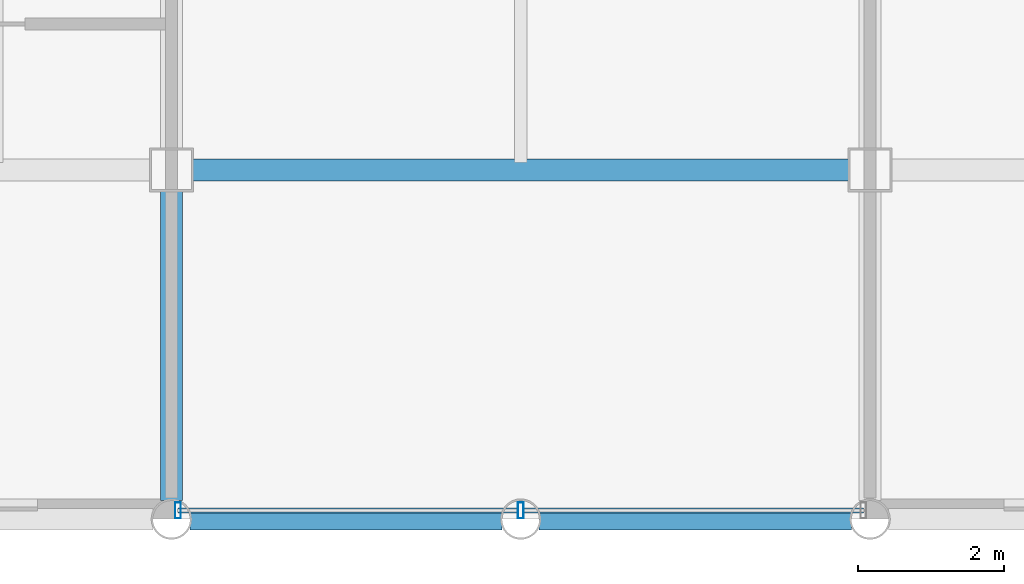
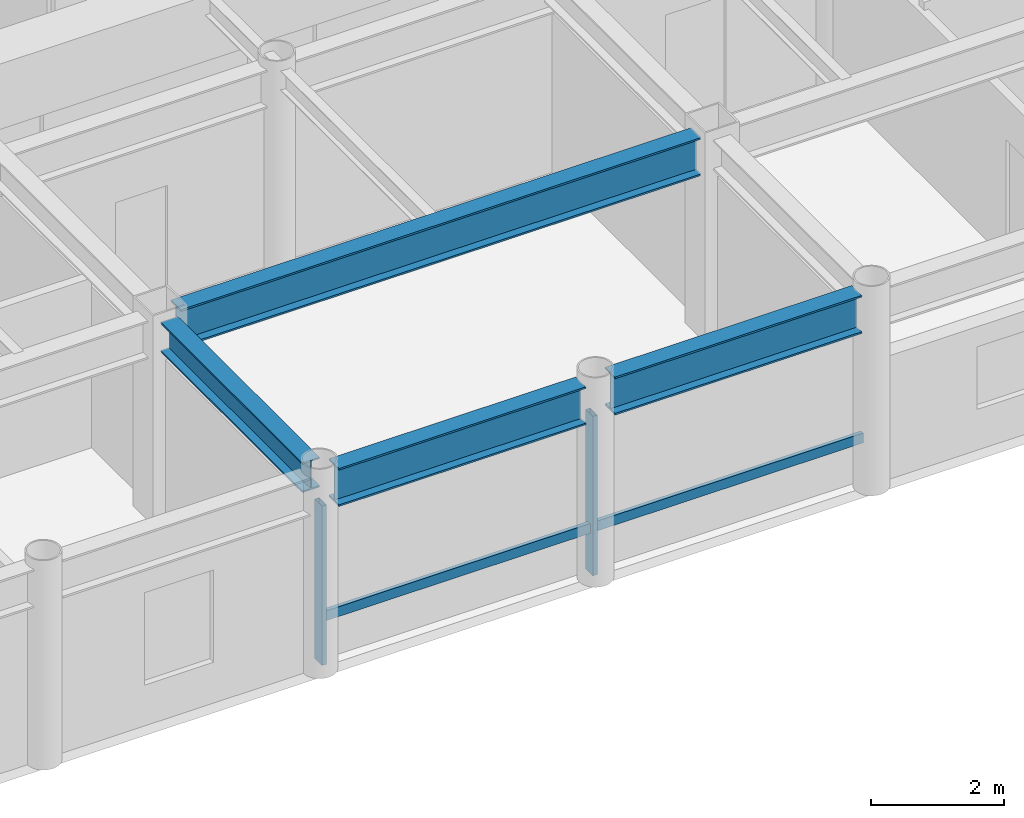
# One storey, part 4 of 22: 4 beams, 4 members, 1 element without a shape of its own.
"""IFC4 building model written with IfcOpenShell, lengths in metres."""

from ifc_helpers import new_model, si_unit, direction, frame, origin, origin_2d, place, context, subcontext, project, spatial, hollow_rectangle, i_section, extrude, material, layer, layer_set, material_profile, profile_set, type_object, element, aggregate, save


model = new_model("IFC4")

# Units and contexts
model_context = context("Model", 3, precision=1e-05, world=origin(), true_north=direction((0.0, 1.0)))
body_context = subcontext(model_context, "Body", "Model", "MODEL_VIEW")
ifc_project = project(units=[si_unit("LENGTHUNIT", "METRE"), si_unit("AREAUNIT", "SQUARE_METRE"), si_unit("VOLUMEUNIT", "CUBIC_METRE"), si_unit("PLANEANGLEUNIT", "RADIAN"), si_unit("MASSUNIT", "GRAM", prefix="KILO")], contexts=[model_context])

# Site, building, storey
site_placement = place(None, origin())
site = spatial("IfcSite", under=ifc_project, at=site_placement, CompositionType="ELEMENT")
building_placement = place(site_placement, origin())
building = spatial("IfcBuilding", under=site, at=building_placement, Name="Kallvorn Hotel Tower", CompositionType="ELEMENT")
storey_placement = place(building_placement, frame((0.0, 0.0, 241.550048828125)))
storey = spatial("IfcBuildingStorey", under=building, at=storey_placement, Name="L60", CompositionType="ELEMENT", Elevation=241.550048828125)

# Beams
ifc_material_1 = material(Name="Structural steel S355JR", Category="steel")
ifc_material_profile_1 = material_profile(ifc_material_1, i_section(OverallWidth=0.300048828125, OverallDepth=0.550048828125, WebThickness=0.014892578125, FlangeThickness=0.029052734375, at=origin_2d()), Name="HE 550 B")
ifc_profile_set_1 = profile_set([ifc_material_profile_1], Name="Structural steel S355JR")
beam_type_1 = type_object("IfcBeamType", Name="BM_HE550B", PredefinedType="SPANDREL", material=ifc_profile_set_1)
beam_1_placement = place(storey_placement, frame((-4.800048828125, -18.945556640625, 3.39501953125), z_axis=(0.0, 1.0, 0.0), x_axis=(-1.0, 0.0, 0.0)))
element("IfcBeam", 1, at=beam_1_placement, inside=storey, type_object=beam_type_1, Name="L61 Primary Y-Girder 105", PredefinedType="SPANDREL", context=body_context, shape_type="SweptSolid", body=[
    extrude(i_section(OverallWidth=0.300048828125, OverallDepth=0.550048828125, WebThickness=0.014892578125, FlangeThickness=0.029052734375, at=origin_2d()), origin(), (0.0, 0.0, 1.0), 4.2705078125),
])
ifc_material_2 = material(Name="Structural steel S355JR", Category="steel")
ifc_material_profile_2 = material_profile(ifc_material_2, i_section(OverallWidth=0.300048828125, OverallDepth=0.699951171875, WebThickness=0.01708984375, FlangeThickness=0.031982421875, at=origin_2d()), Name="HE 700 B")
ifc_profile_set_2 = profile_set([ifc_material_profile_2], Name="Structural steel S355JR")
beam_type_2 = type_object("IfcBeamType", Name="BM_HE700B", PredefinedType="BEAM", material=ifc_profile_set_2)
for number, where, z_axis, x_axis, name in (
    (2, (-4.54541015625, -19.199951171875, 3.320068359375), (1.0, 0.0, 0.0), (0.0, 1.0, 0.0), "L61 Primary X-Girder 06"),
    (3, (0.25439453125, -19.199951171875, 3.320068359375), (1.0, 0.0, 0.0), (0.0, 1.0, 0.0), "L61 Primary X-Girder 07"),
):
    element("IfcBeam", number, at=place(storey_placement, frame(where, z_axis=z_axis, x_axis=x_axis)), inside=storey, type_object=beam_type_2, Name=name, PredefinedType="BEAM", context=body_context, shape_type="SweptSolid", body=[
        extrude(i_section(OverallWidth=0.300048828125, OverallDepth=0.699951171875, WebThickness=0.01708984375, FlangeThickness=0.031982421875, at=origin_2d()), origin(), (0.0, 0.0, 1.0), 4.291015625),
    ])
beam_2_placement = place(storey_placement, frame((-4.52490234375, -14.39990234375, 3.320068359375), z_axis=(1.0, 0.0, 0.0), x_axis=(0.0, 1.0, 0.0)))
element("IfcBeam", 4, at=beam_2_placement, inside=storey, type_object=beam_type_2, Name="L61 Primary X-Girder 17", PredefinedType="BEAM", context=body_context, shape_type="SweptSolid", body=[
    extrude(i_section(OverallWidth=0.300048828125, OverallDepth=0.699951171875, WebThickness=0.01708984375, FlangeThickness=0.031982421875, at=origin_2d()), origin(), (0.0, 0.0, 1.0), 9.0498046875),
])

# Curtain wall, members
ifc_material_3 = material(Name="Thermally broken black-anodised aluminium AA 6063-T6", Category="aluminium")
ifc_layer = layer(ifc_material_3, 0.22998046875)
ifc_layer_set = layer_set([ifc_layer], Name="CW_SYS_5_HOTEL_HIGH")
curtain_wall_type = type_object("IfcCurtainWallType", Name="CW_SYS_5_HOTEL_HIGH", PredefinedType="USERDEFINED", material=ifc_layer_set)
curtain_wall_placement = place(storey_placement, origin())
curtain_wall = element("IfcCurtainWall", 5, at=curtain_wall_placement, inside=storey, type_object=curtain_wall_type, Name="L60 Dark-Glass Curtain Wall CW-L60-SC", ObjectType="UNITISED CURTAIN WALL", PredefinedType="USERDEFINED")
ifc_material_4 = material(Name="Thermally broken black-anodised aluminium AA 6063-T6", Category="aluminium")
ifc_material_profile_3 = material_profile(ifc_material_4, hollow_rectangle(XDim=0.080078125, YDim=0.219970703125, WallThickness=0.0048828125, at=origin_2d()), Name="MUL 220x80")
ifc_profile_set_3 = profile_set([ifc_material_profile_3], Name="Thermally broken black-anodised aluminium AA 6063-T6")
member_type_1 = type_object("IfcMemberType", Name="CW_MULLION_220x80", PredefinedType="MULLION", material=ifc_profile_set_3)
member_1_placement = place(storey_placement, frame((-4.7099609375, -19.080078125, 0.02001953125), z_axis=(0.0, 0.0, 1.0), x_axis=(1.0, 0.0, 0.0)))
member_1 = element("IfcMember", 6, at=member_1_placement, type_object=member_type_1, Name="CW-L60-SC Mullion 00", PredefinedType="MULLION", context=body_context, shape_type="SweptSolid", body=[
    extrude(hollow_rectangle(XDim=0.080078125, YDim=0.219970703125, WallThickness=0.0048828125, at=origin_2d()), origin(), (0.0, 0.0, 1.0), 2.929931640625),
])
member_2_placement = place(storey_placement, frame((0.0, -19.080078125, 0.02001953125), z_axis=(0.0, 0.0, 1.0), x_axis=(1.0, 0.0, 0.0)))
member_2 = element("IfcMember", 7, at=member_2_placement, type_object=member_type_1, Name="CW-L60-SC Mullion 01", PredefinedType="MULLION", context=body_context, shape_type="SweptSolid", body=[
    extrude(hollow_rectangle(XDim=0.080078125, YDim=0.219970703125, WallThickness=0.0048828125, at=origin_2d()), origin(), (0.0, 0.0, 1.0), 2.929931640625),
])
ifc_material_5 = material(Name="Thermally broken black-anodised aluminium AA 6063-T6", Category="aluminium")
ifc_material_profile_4 = material_profile(ifc_material_5, hollow_rectangle(XDim=0.070068359375, YDim=0.179931640625, WallThickness=0.00390625, at=origin_2d()), Name="TRN 180x70")
ifc_profile_set_4 = profile_set([ifc_material_profile_4], Name="Thermally broken black-anodised aluminium AA 6063-T6")
member_type_2 = type_object("IfcMemberType", Name="CW_TRANSOM_180x70", PredefinedType="USERDEFINED", material=ifc_profile_set_4)
member_3_placement = place(storey_placement, frame((-4.7099609375, -19.080078125, 0.849853515625), z_axis=(1.0, 0.0, 0.0), x_axis=(0.0, 1.0, 0.0)))
member_3 = element("IfcMember", 8, at=member_3_placement, type_object=member_type_2, Name="CW-L60-SC Transom 00M", ObjectType="TRANSOM", PredefinedType="USERDEFINED", context=body_context, shape_type="SweptSolid", body=[
    extrude(hollow_rectangle(XDim=0.070068359375, YDim=0.179931640625, WallThickness=0.00390625, at=origin_2d()), origin(), (0.0, 0.0, 1.0), 4.669921875),
])
member_4_placement = place(storey_placement, frame((0.0400390625, -19.080078125, 0.849853515625), z_axis=(1.0, 0.0, 0.0), x_axis=(0.0, 1.0, 0.0)))
member_4 = element("IfcMember", 9, at=member_4_placement, type_object=member_type_2, Name="CW-L60-SC Transom 01M", ObjectType="TRANSOM", PredefinedType="USERDEFINED", context=body_context, shape_type="SweptSolid", body=[
    extrude(hollow_rectangle(XDim=0.070068359375, YDim=0.179931640625, WallThickness=0.00390625, at=origin_2d()), origin(), (0.0, 0.0, 1.0), 4.669921875),
])
aggregate(curtain_wall, [member_1, member_2, member_3, member_4])

save(model, "model.ifc")
